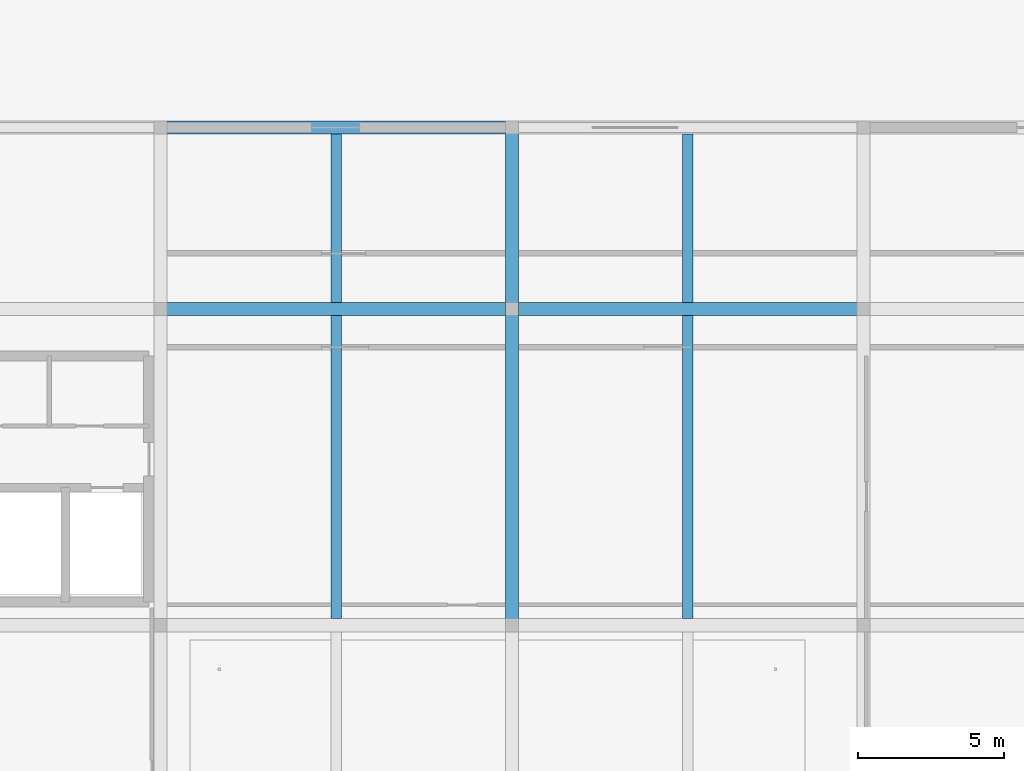
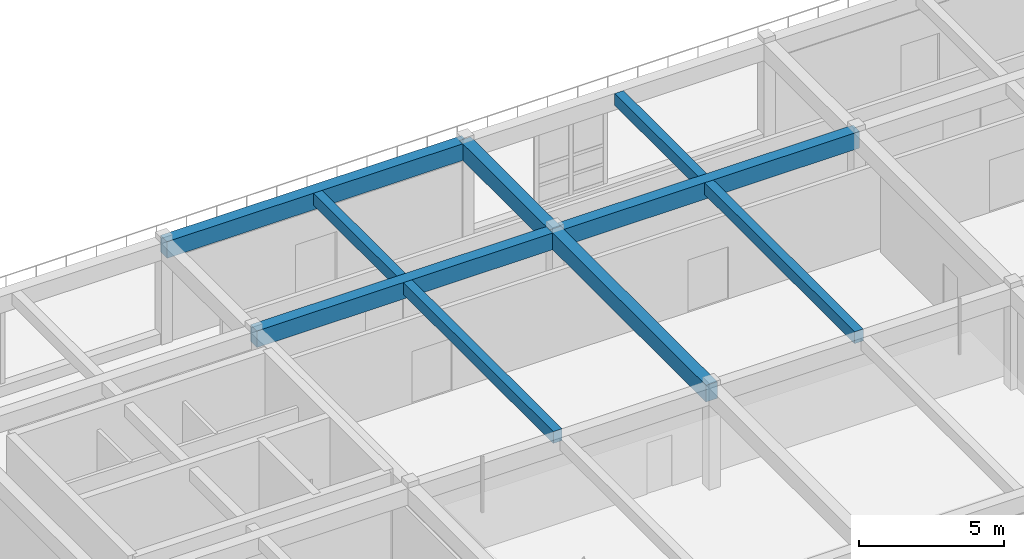
# One storey, part 3 of 15: 9 beams.
"""IFC4 building model written with IfcOpenShell, lengths in metres."""

import ifcopenshell
import ifcopenshell.guid

model = None  # the IFC model being written
_history = None  # IfcOwnerHistory: only IFC2X3 demands one
_inside = {}  # id of a spatial element -> (the spatial element, [elements in it])
_under = {}  # id of a project, library or spatial element -> (it, [spatial elements below it])
_declared = {}  # id of a project -> (the project, [libraries it declares])
_typed = {}  # id of a type object -> (the type object, [elements of that type])
_made_of = {}  # id of a material, layer set ... -> (it, [elements and type objects made of it])


def new_model(schema):
    """Start an empty IFC model of exactly this schema.

    Asked for "IFC4X3", IfcOpenShell would pick the latest addendum, in which some entities
    have other attributes; the version numbers below select the first issue.
    IFC2X3 requires an IfcOwnerHistory on every rooted entity: one is made here for all.
    """
    global model, _history
    if schema == "IFC4X3":
        model = ifcopenshell.file(schema_version=(4, 3, 0, 0))
    else:
        model = ifcopenshell.file(schema=schema)
    _inside.clear()
    _under.clear()
    _declared.clear()
    _typed.clear()
    _made_of.clear()
    _history = None
    if model.schema == "IFC2X3":
        org = make("IfcOrganization", Name="unknown")
        user = make(
            "IfcPersonAndOrganization",
            ThePerson=make("IfcPerson", FamilyName="unknown"),
            TheOrganization=org,
        )
        app = make(
            "IfcApplication",
            ApplicationDeveloper=org,
            Version="unknown",
            ApplicationFullName="unknown",
            ApplicationIdentifier="unknown",
        )
        _history = make(
            "IfcOwnerHistory",
            OwningUser=user,
            OwningApplication=app,
            ChangeAction="ADDED",
            CreationDate=0,
        )
    return model


def make(cls, **values):
    """One entity of the class cls with the attributes given. An attribute that is None is left unset."""
    return model.create_entity(
        cls, **{name: value for name, value in values.items() if value is not None}
    )


def rooted(cls, **values):
    """An entity with a GlobalId (a new one), such as an element, a storey or a relation."""
    return make(cls, GlobalId=ifcopenshell.guid.new(), OwnerHistory=_history, **values)


def si_unit(unit_type, name, prefix=None):
    """IfcSIUnit, for example si_unit("LENGTHUNIT", "METRE", prefix="MILLI")."""
    return make("IfcSIUnit", UnitType=unit_type, Prefix=prefix, Name=name)


def derived_unit(unit_type, elements):
    """IfcDerivedUnit: a product of units, each with its exponent."""
    return make(
        "IfcDerivedUnit",
        Elements=[
            make("IfcDerivedUnitElement", Unit=unit, Exponent=power)
            for unit, power in elements
        ],
        UnitType=unit_type,
    )


def assignment(units):
    """IfcUnitAssignment: the units of a project."""
    return None if units is None else make("IfcUnitAssignment", Units=units)


def point(xyz):
    """IfcCartesianPoint."""
    return None if xyz is None else make("IfcCartesianPoint", Coordinates=xyz)


def direction(xyz):
    """IfcDirection."""
    return None if xyz is None else make("IfcDirection", DirectionRatios=xyz)


def frame(location, z_axis=None, x_axis=None):
    """IfcAxis2Placement3D, a coordinate frame: its origin and axes. An axis left out is left unset."""
    return make(
        "IfcAxis2Placement3D",
        Location=point(location),
        Axis=direction(z_axis),
        RefDirection=direction(x_axis),
    )


def frame_2d(location, x_axis=None):
    """IfcAxis2Placement2D, a coordinate frame in the plane: its origin and x axis."""
    return make(
        "IfcAxis2Placement2D", Location=point(location), RefDirection=direction(x_axis)
    )


def origin():
    """The frame at (0, 0, 0) with its axes left unset."""
    return frame((0.0, 0.0, 0.0))


def origin_2d():
    """The frame at (0, 0) in the plane with its x axis left unset."""
    return frame_2d((0.0, 0.0))


def place(relative_to, where):
    """IfcLocalPlacement: puts the frame where relative to a parent placement (None: the world)."""
    return make(
        "IfcLocalPlacement", PlacementRelTo=relative_to, RelativePlacement=where
    )


def context(
    kind, dimensions, precision=None, world=None, true_north=None, identifier=None
):
    """IfcGeometricRepresentationContext, for example the 3D "Model" context."""
    return make(
        "IfcGeometricRepresentationContext",
        ContextIdentifier=identifier,
        ContextType=kind,
        CoordinateSpaceDimension=dimensions,
        Precision=precision,
        WorldCoordinateSystem=world,
        TrueNorth=true_north,
    )


def subcontext(parent, identifier, kind, view, scale=None):
    """IfcGeometricRepresentationSubContext, for example "Body" below "Model"."""
    return make(
        "IfcGeometricRepresentationSubContext",
        ContextIdentifier=identifier,
        ContextType=kind,
        ParentContext=parent,
        TargetScale=scale,
        TargetView=view,
    )


def project(units=None, contexts=None):
    """IfcProject with its units and contexts."""
    return rooted(
        "IfcProject",
        Name="project",
        RepresentationContexts=contexts,
        UnitsInContext=assignment(units),
    )


def spatial(cls, under=None, at=None, **own):
    """A site, building, storey or space (cls), placed at a placement, below another one or the project."""
    s = rooted(cls, ObjectPlacement=at, **own)
    if under is not None:
        _under.setdefault(under.id(), (under, []))[1].append(s)
    return s


def profile(cls, at=None, kind="AREA", **sizes):
    """A parametric profile (cls). Its sizes go by their IFC names, for example OverallWidth=200.0."""
    return make(cls, ProfileType=kind, Position=at, **sizes)


def rectangle(**sizes):
    """IfcRectangleProfileDef."""
    return profile("IfcRectangleProfileDef", **sizes)


def extrude(swept, where, along, depth):
    """IfcExtrudedAreaSolid: the profile swept, set in the frame where, extruded along a direction by depth."""
    return make(
        "IfcExtrudedAreaSolid",
        SweptArea=swept,
        Position=where,
        ExtrudedDirection=direction(along),
        Depth=depth,
    )


def shape(context_of_items, identifier, shape_type, items):
    """IfcShapeRepresentation: the items that make up one representation, for example the "Body"."""
    return make(
        "IfcShapeRepresentation",
        ContextOfItems=context_of_items,
        RepresentationIdentifier=identifier,
        RepresentationType=shape_type,
        Items=items,
    )


def material(Name=None, Category=None):
    """IfcMaterial."""
    return make("IfcMaterial", Name=Name, Category=Category)


def material_profile(
    of_material, cross_section, Name=None, Category=None, Priority=None
):
    """IfcMaterialProfile: a cross section and its material."""
    return make(
        "IfcMaterialProfile",
        Name=Name,
        Material=of_material,
        Profile=cross_section,
        Priority=Priority,
        Category=Category,
    )


def profile_set(profiles, Name=None, composite=None):
    """IfcMaterialProfileSet."""
    return make(
        "IfcMaterialProfileSet",
        Name=Name,
        MaterialProfiles=profiles,
        CompositeProfile=composite,
    )


def made_of(thing, what):
    """Note that an element or type object is made of a material, layer set ...; save() writes the relation."""
    if what is not None:
        _made_of.setdefault(what.id(), (what, []))[1].append(thing)
    return thing


def type_object(cls, material=None, **own):
    """A type object (cls), such as IfcWallType, which elements share."""
    return made_of(rooted(cls, **own), material)


def element(
    cls,
    number,
    at=None,
    inside=None,
    cuts=None,
    type_object=None,
    material=None,
    context=None,
    identifier="Body",
    shape_type=None,
    held_by="IfcProductDefinitionShape",
    body=None,
    shapes=None,
    **own,
):
    """One element of the class cls, such as IfcWall. Its Tag is "e" and its number.

    at: its placement. inside: the storey or other place that contains it. cuts: it is an
    opening in that element (IfcRelVoidsElement). A single representation is given by context,
    identifier, shape_type and body (its items); several are given by shapes. held_by: the class
    of the entity that holds the representations. save() writes the other relations.
    """
    e = rooted(cls, Tag="e%d" % number, ObjectPlacement=at, **own)
    if body is not None:
        shapes = [shape(context, identifier, shape_type, body)]
    if shapes is not None:
        e.Representation = make(held_by, Representations=shapes)
    if inside is not None:
        _inside.setdefault(inside.id(), (inside, []))[1].append(e)
    if cuts is not None:
        rooted(
            "IfcRelVoidsElement", RelatingBuildingElement=cuts, RelatedOpeningElement=e
        )
    if type_object is not None:
        _typed.setdefault(type_object.id(), (type_object, []))[1].append(e)
    return made_of(e, material)


def aggregate(whole, parts):
    """IfcRelAggregates: a whole, such as a stair, and the parts it consists of."""
    return rooted("IfcRelAggregates", RelatingObject=whole, RelatedObjects=parts)


def save(model, path):
    """Write the relations noted so far, then the file.

    IfcRelAggregates (storeys below a building ...), IfcRelContainedInSpatialStructure (elements
    in a storey), IfcRelDefinesByType, IfcRelAssociatesMaterial and IfcRelDeclares: one each for
    every whole, place, type object, material and project.
    """
    for whole, parts in _under.values():
        aggregate(whole, parts)
    for where, things in _inside.values():
        rooted(
            "IfcRelContainedInSpatialStructure",
            RelatedElements=things,
            RelatingStructure=where,
        )
    for kind, things in _typed.values():
        rooted("IfcRelDefinesByType", RelatedObjects=things, RelatingType=kind)
    for what, things in _made_of.values():
        rooted("IfcRelAssociatesMaterial", RelatedObjects=things, RelatingMaterial=what)
    for by, libraries in _declared.values():
        rooted("IfcRelDeclares", RelatingContext=by, RelatedDefinitions=libraries)
    model.write(path)


model = new_model("IFC4")

# Units and contexts
model_context = context("Model", 3, precision=1e-05, world=origin(), true_north=direction((0.0, 1.0)))
body_context = subcontext(model_context, "Body", "Model", "MODEL_VIEW")
ifc_project = project(units=[si_unit("LENGTHUNIT", "METRE"), si_unit("AREAUNIT", "SQUARE_METRE"), si_unit("VOLUMEUNIT", "CUBIC_METRE"), si_unit("PLANEANGLEUNIT", "RADIAN"), si_unit("MASSUNIT", "GRAM", prefix="KILO"), derived_unit("THERMALTRANSMITTANCEUNIT", [(si_unit("POWERUNIT", "WATT"), 1), (si_unit("LENGTHUNIT", "METRE"), -2), (si_unit("THERMODYNAMICTEMPERATUREUNIT", "KELVIN"), -1)])], contexts=[model_context])

# Site, building, storey
site_placement = place(None, origin())
site = spatial("IfcSite", under=ifc_project, at=site_placement, CompositionType="ELEMENT")
building_placement = place(site_placement, origin())
building = spatial("IfcBuilding", under=site, at=building_placement, Name="Almenara Railside Exhibition Hall", CompositionType="ELEMENT")
storey_placement = place(building_placement, frame((0.0, 0.0, 16.199951171875)))
storey = spatial("IfcBuildingStorey", under=building, at=storey_placement, Name="L03", CompositionType="ELEMENT", Elevation=16.199951171875)

# Beams
ifc_material = material(Name="Concrete C35/45", Category="concrete")
ifc_material_profile_1 = material_profile(ifc_material, rectangle(XDim=0.449951171875, YDim=0.699951171875, at=origin_2d()), Name="RC 450x700")
ifc_profile_set_1 = profile_set([ifc_material_profile_1], Name="Concrete C35/45")
beam_type_1 = type_object("IfcBeamType", Name="RC Floor Beam 450x700 C35/45", PredefinedType="BEAM", material=ifc_profile_set_1)
for number, where, z_axis, x_axis, name in (
    (1, (138.0, 21.800048828125, 3.929931640625), (1.0, 0.0, 0.0), (0.0, 1.0, 0.0), "Beam 0355"),
    (2, (150.0, 21.800048828125, 3.929931640625), (1.0, 0.0, 0.0), (0.0, 1.0, 0.0), "Beam 0356"),
    (3, (138.0, 28.0, 3.929931640625), (1.0, 0.0, 0.0), (0.0, 1.0, 0.0), "Beam 0362"),
):
    element("IfcBeam", number, at=place(storey_placement, frame(where, z_axis=z_axis, x_axis=x_axis)), inside=storey, type_object=beam_type_1, Name=name, PredefinedType="BEAM", context=body_context, shape_type="SweptSolid", body=[
        extrude(rectangle(XDim=0.449951171875, YDim=0.699951171875, at=origin_2d()), origin(), (0.0, 0.0, 1.0), 12.0),
    ])
beam_1_placement = place(storey_placement, frame((150.0, 11.0, 3.929931640625), z_axis=(0.0, 1.0, 0.0), x_axis=(-1.0, 0.0, 0.0)))
element("IfcBeam", 4, at=beam_1_placement, inside=storey, type_object=beam_type_1, Name="Beam 0375", PredefinedType="BEAM", context=body_context, shape_type="SweptSolid", body=[
    extrude(rectangle(XDim=0.449951171875, YDim=0.699951171875, at=origin_2d()), origin(), (0.0, 0.0, 1.0), 10.800048828125),
])
beam_2_placement = place(storey_placement, frame((150.0, 21.800048828125, 3.929931640625), z_axis=(0.0, 1.0, 0.0), x_axis=(-1.0, 0.0, 0.0)))
element("IfcBeam", 5, at=beam_2_placement, inside=storey, type_object=beam_type_1, Name="Beam 0376", PredefinedType="BEAM", context=body_context, shape_type="SweptSolid", body=[
    extrude(rectangle(XDim=0.449951171875, YDim=0.699951171875, at=origin_2d()), origin(), (0.0, 0.0, 1.0), 6.199951171875),
])
ifc_material_profile_2 = material_profile(ifc_material, rectangle(XDim=0.35009765625, YDim=0.5, at=origin_2d()), Name="RC 350x500")
ifc_profile_set_2 = profile_set([ifc_material_profile_2], Name="Concrete C35/45")
beam_type_2 = type_object("IfcBeamType", Name="RC Spandrel Tie Beam 350x500 C35/45", PredefinedType="SPANDREL", material=ifc_profile_set_2)
beam_3_placement = place(storey_placement, frame((144.0, 11.22509765625, 4.030029296875), z_axis=(0.0, 1.0, 0.0), x_axis=(-1.0, 0.0, 0.0)))
element("IfcBeam", 6, at=beam_3_placement, inside=storey, type_object=beam_type_2, Name="Beam 0396", PredefinedType="SPANDREL", context=body_context, shape_type="SweptSolid", body=[
    extrude(rectangle(XDim=0.35009765625, YDim=0.5, at=origin_2d()), origin(), (0.0, 0.0, 1.0), 10.349853515625),
])
beam_4_placement = place(storey_placement, frame((144.0, 22.02490234375, 4.030029296875), z_axis=(0.0, 1.0, 0.0), x_axis=(-1.0, 0.0, 0.0)))
element("IfcBeam", 7, at=beam_4_placement, inside=storey, type_object=beam_type_2, Name="Beam 0397", PredefinedType="SPANDREL", context=body_context, shape_type="SweptSolid", body=[
    extrude(rectangle(XDim=0.35009765625, YDim=0.5, at=origin_2d()), origin(), (0.0, 0.0, 1.0), 5.75),
])
beam_5_placement = place(storey_placement, frame((156.0, 11.22509765625, 4.030029296875), z_axis=(0.0, 1.0, 0.0), x_axis=(-1.0, 0.0, 0.0)))
element("IfcBeam", 8, at=beam_5_placement, inside=storey, type_object=beam_type_2, Name="Beam 0399", PredefinedType="SPANDREL", context=body_context, shape_type="SweptSolid", body=[
    extrude(rectangle(XDim=0.35009765625, YDim=0.5, at=origin_2d()), origin(), (0.0, 0.0, 1.0), 10.349853515625),
])
beam_6_placement = place(storey_placement, frame((156.0, 22.02490234375, 4.030029296875), z_axis=(0.0, 1.0, 0.0), x_axis=(-1.0, 0.0, 0.0)))
element("IfcBeam", 9, at=beam_6_placement, inside=storey, type_object=beam_type_2, Name="Beam 0400", PredefinedType="SPANDREL", context=body_context, shape_type="SweptSolid", body=[
    extrude(rectangle(XDim=0.35009765625, YDim=0.5, at=origin_2d()), origin(), (0.0, 0.0, 1.0), 5.75),
])

save(model, "model.ifc")
